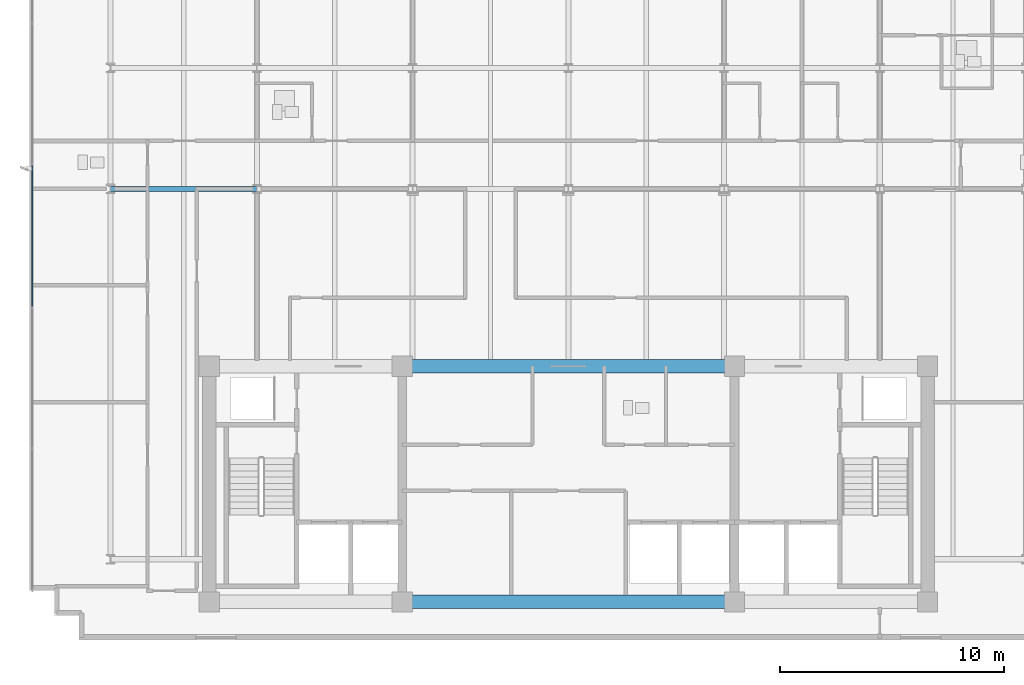
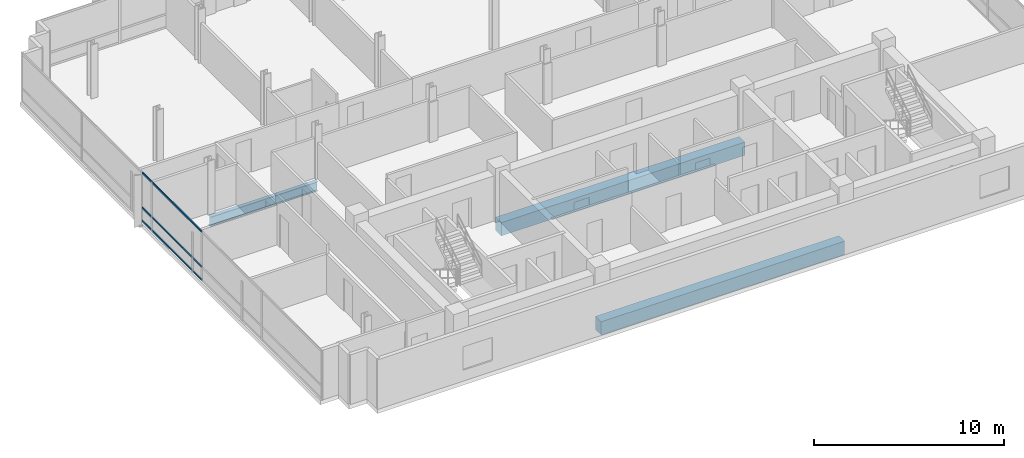
# One storey, part 3 of 17: 3 beams, 3 members, 1 element without a shape of its own.
"""IFC4 building model written with IfcOpenShell, lengths in metres."""

from ifc_helpers import new_model, si_unit, direction, frame, origin, origin_2d, place, context, subcontext, project, spatial, rectangle, i_section, extrude, material, material_profile, profile_set, type_object, element, aggregate, save


model = new_model("IFC4")

# Units and contexts
model_context = context("Model", 3, precision=1e-05, world=origin(), true_north=direction((0.0, 1.0)))
body_context = subcontext(model_context, "Body", "Model", "MODEL_VIEW")
ifc_project = project(units=[si_unit("LENGTHUNIT", "METRE"), si_unit("AREAUNIT", "SQUARE_METRE"), si_unit("VOLUMEUNIT", "CUBIC_METRE"), si_unit("PLANEANGLEUNIT", "RADIAN"), si_unit("MASSUNIT", "GRAM", prefix="KILO")], contexts=[model_context])

# Site, building, storey
site_placement = place(None, origin())
site = spatial("IfcSite", under=ifc_project, at=site_placement, CompositionType="ELEMENT")
building_placement = place(site_placement, origin())
building = spatial("IfcBuilding", under=site, at=building_placement, Name="Solmavex Isthmus Hotel", CompositionType="ELEMENT")
storey_placement = place(building_placement, frame((0.0, 0.0, 266.10009765625)))
storey = spatial("IfcBuildingStorey", under=building, at=storey_placement, Name="L72", CompositionType="ELEMENT", Elevation=266.10009765625)

# Beams
ifc_material_1 = material(Name="Steel ASTM A992 Grade 50", Category="steel")
ifc_material_profile_1 = material_profile(ifc_material_1, i_section(OverallWidth=0.227783203125, OverallDepth=0.602783203125, WebThickness=0.010498046875, FlangeThickness=0.014892578125, FilletRadius=0.01513671875, at=origin_2d()), Name="W24X68")
ifc_profile_set_1 = profile_set([ifc_material_profile_1], Name="Steel ASTM A992 Grade 50")
beam_type_1 = type_object("IfcBeamType", Name="BM-BM-W24X68", PredefinedType="BEAM", material=ifc_profile_set_1)
beam_placement = place(storey_placement, frame((-20.39990234375, 5.39990234375, -0.5615234375), z_axis=(1.0, 0.0, 0.0), x_axis=(0.0, 1.0, 0.0)))
element("IfcBeam", 1, at=beam_placement, inside=storey, type_object=beam_type_1, Name="Floor Girder L72-UG03", PredefinedType="BEAM", context=body_context, shape_type="SweptSolid", body=[
    extrude(i_section(OverallWidth=0.227783203125, OverallDepth=0.602783203125, WebThickness=0.010498046875, FlangeThickness=0.014892578125, FilletRadius=0.01513671875, at=origin_2d()), origin(), (0.0, 0.0, 1.0), 6.52783203125),
])
ifc_material_2 = material(Name="Concrete C50/60", Category="concrete")
ifc_material_profile_2 = material_profile(ifc_material_2, rectangle(XDim=0.60009765625, YDim=0.85009765625, at=origin_2d()), Name="RC600X850")
ifc_profile_set_2 = profile_set([ifc_material_profile_2], Name="Concrete C50/60")
beam_type_2 = type_object("IfcBeamType", Name="BM-CB-600X850", PredefinedType="BEAM", material=ifc_profile_set_2)
for number, where, z_axis, x_axis, name in (
    (2, (-7.39990234375, -13.0, -0.68505859375), (1.0, 0.0, 0.0), (0.0, 1.0, 0.0), "Core Coupling Beam L72-CB2"),
    (3, (-7.39990234375, -2.5, -0.68505859375), (1.0, 0.0, 0.0), (0.0, 1.0, 0.0), "Core Coupling Beam L72-CB5"),
):
    element("IfcBeam", number, at=place(storey_placement, frame(where, z_axis=z_axis, x_axis=x_axis)), inside=storey, type_object=beam_type_2, Name=name, PredefinedType="BEAM", context=body_context, shape_type="SweptSolid", body=[
        extrude(rectangle(XDim=0.60009765625, YDim=0.85009765625, at=origin_2d()), origin(), (0.0, 0.0, 1.0), 14.7998046875),
    ])

# Curtain wall, members
ifc_material_3 = material(Name="Aluminium alloy 6063-T6", Category="aluminium")
curtain_wall_type = type_object("IfcCurtainWallType", Name="CW-SYS-06", PredefinedType="NOTDEFINED", material=ifc_material_3)
curtain_wall_placement = place(storey_placement, origin())
curtain_wall = element("IfcCurtainWall", 4, at=curtain_wall_placement, inside=storey, type_object=curtain_wall_type, Name="Stick Curtain Wall CWL-L72-W1", PredefinedType="NOTDEFINED")
ifc_material_profile_3 = material_profile(ifc_material_3, rectangle(XDim=0.06005859375, YDim=0.114990234375, at=origin_2d()), Name="CWT-60X115")
ifc_profile_set_3 = profile_set([ifc_material_profile_3], Name="Aluminium alloy 6063-T6")
member_type = type_object("IfcMemberType", Name="CW-SYS-06-TRN", PredefinedType="USERDEFINED", material=ifc_profile_set_3)
member_1_placement = place(storey_placement, frame((-23.8798828125, 0.169921875, 0.057373046875), z_axis=(0.0, 1.0, 0.0), x_axis=(-1.0, 0.0, 0.0)))
member_1 = element("IfcMember", 5, at=member_1_placement, type_object=member_type, Name="CW-06 transom 3.1", ObjectType="TRANSOM", PredefinedType="USERDEFINED", context=body_context, shape_type="SweptSolid", body=[
    extrude(rectangle(XDim=0.06005859375, YDim=0.114990234375, at=origin_2d()), origin(), (0.0, 0.0, 1.0), 6.260009765625),
])
member_2_placement = place(storey_placement, frame((-23.8798828125, 0.169921875, 0.89990234375), z_axis=(0.0, 1.0, 0.0), x_axis=(-1.0, 0.0, 0.0)))
member_2 = element("IfcMember", 6, at=member_2_placement, type_object=member_type, Name="CW-06 transom 3.2", ObjectType="TRANSOM", PredefinedType="USERDEFINED", context=body_context, shape_type="SweptSolid", body=[
    extrude(rectangle(XDim=0.06005859375, YDim=0.114990234375, at=origin_2d()), origin(), (0.0, 0.0, 1.0), 6.260009765625),
])
member_3_placement = place(storey_placement, frame((-23.8798828125, 0.169921875, 3.13232421875), z_axis=(0.0, 1.0, 0.0), x_axis=(-1.0, 0.0, 0.0)))
member_3 = element("IfcMember", 7, at=member_3_placement, type_object=member_type, Name="CW-06 transom 3.3", ObjectType="TRANSOM", PredefinedType="USERDEFINED", context=body_context, shape_type="SweptSolid", body=[
    extrude(rectangle(XDim=0.06005859375, YDim=0.114990234375, at=origin_2d()), origin(), (0.0, 0.0, 1.0), 6.260009765625),
])
aggregate(curtain_wall, [member_1, member_2, member_3])

save(model, "model.ifc")
